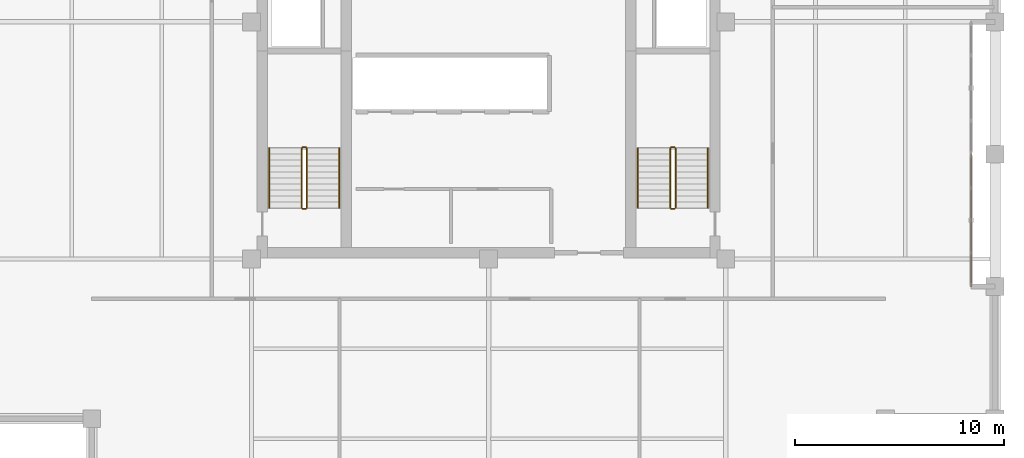
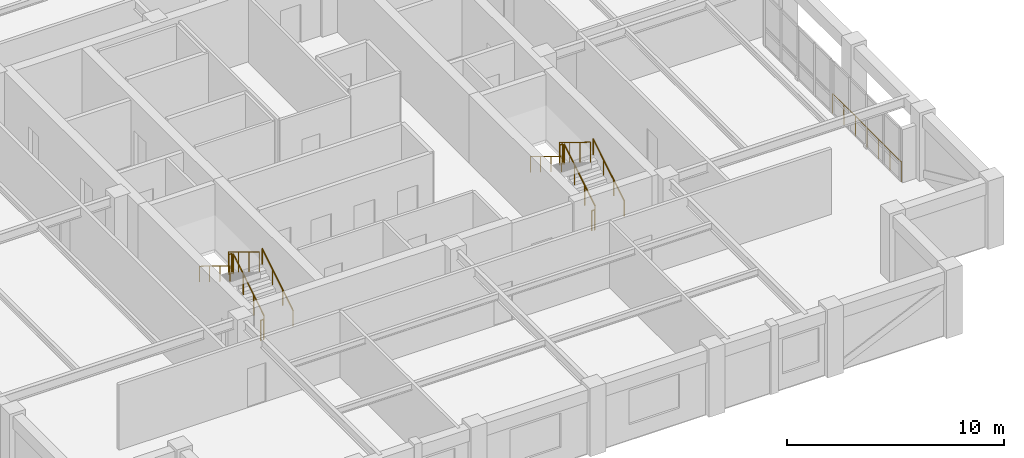
# One storey, part 9 of 10: 13 railings.
"""IFC4 building model written with IfcOpenShell, lengths in metres."""

import ifcopenshell
import ifcopenshell.guid

model = None  # the IFC model being written
_history = None  # IfcOwnerHistory: only IFC2X3 demands one
_inside = {}  # id of a spatial element -> (the spatial element, [elements in it])
_under = {}  # id of a project, library or spatial element -> (it, [spatial elements below it])
_declared = {}  # id of a project -> (the project, [libraries it declares])
_typed = {}  # id of a type object -> (the type object, [elements of that type])
_made_of = {}  # id of a material, layer set ... -> (it, [elements and type objects made of it])


def new_model(schema):
    """Start an empty IFC model of exactly this schema.

    Asked for "IFC4X3", IfcOpenShell would pick the latest addendum, in which some entities
    have other attributes; the version numbers below select the first issue.
    IFC2X3 requires an IfcOwnerHistory on every rooted entity: one is made here for all.
    """
    global model, _history
    if schema == "IFC4X3":
        model = ifcopenshell.file(schema_version=(4, 3, 0, 0))
    else:
        model = ifcopenshell.file(schema=schema)
    _inside.clear()
    _under.clear()
    _declared.clear()
    _typed.clear()
    _made_of.clear()
    _history = None
    if model.schema == "IFC2X3":
        org = make("IfcOrganization", Name="unknown")
        user = make(
            "IfcPersonAndOrganization",
            ThePerson=make("IfcPerson", FamilyName="unknown"),
            TheOrganization=org,
        )
        app = make(
            "IfcApplication",
            ApplicationDeveloper=org,
            Version="unknown",
            ApplicationFullName="unknown",
            ApplicationIdentifier="unknown",
        )
        _history = make(
            "IfcOwnerHistory",
            OwningUser=user,
            OwningApplication=app,
            ChangeAction="ADDED",
            CreationDate=0,
        )
    return model


def make(cls, **values):
    """One entity of the class cls with the attributes given. An attribute that is None is left unset."""
    return model.create_entity(
        cls, **{name: value for name, value in values.items() if value is not None}
    )


def rooted(cls, **values):
    """An entity with a GlobalId (a new one), such as an element, a storey or a relation."""
    return make(cls, GlobalId=ifcopenshell.guid.new(), OwnerHistory=_history, **values)


def si_unit(unit_type, name, prefix=None):
    """IfcSIUnit, for example si_unit("LENGTHUNIT", "METRE", prefix="MILLI")."""
    return make("IfcSIUnit", UnitType=unit_type, Prefix=prefix, Name=name)


def assignment(units):
    """IfcUnitAssignment: the units of a project."""
    return None if units is None else make("IfcUnitAssignment", Units=units)


def point(xyz):
    """IfcCartesianPoint."""
    return None if xyz is None else make("IfcCartesianPoint", Coordinates=xyz)


def direction(xyz):
    """IfcDirection."""
    return None if xyz is None else make("IfcDirection", DirectionRatios=xyz)


def frame(location, z_axis=None, x_axis=None):
    """IfcAxis2Placement3D, a coordinate frame: its origin and axes. An axis left out is left unset."""
    return make(
        "IfcAxis2Placement3D",
        Location=point(location),
        Axis=direction(z_axis),
        RefDirection=direction(x_axis),
    )


def frame_2d(location, x_axis=None):
    """IfcAxis2Placement2D, a coordinate frame in the plane: its origin and x axis."""
    return make(
        "IfcAxis2Placement2D", Location=point(location), RefDirection=direction(x_axis)
    )


def origin():
    """The frame at (0, 0, 0) with its axes left unset."""
    return frame((0.0, 0.0, 0.0))


def origin_2d():
    """The frame at (0, 0) in the plane with its x axis left unset."""
    return frame_2d((0.0, 0.0))


def place(relative_to, where):
    """IfcLocalPlacement: puts the frame where relative to a parent placement (None: the world)."""
    return make(
        "IfcLocalPlacement", PlacementRelTo=relative_to, RelativePlacement=where
    )


def context(
    kind, dimensions, precision=None, world=None, true_north=None, identifier=None
):
    """IfcGeometricRepresentationContext, for example the 3D "Model" context."""
    return make(
        "IfcGeometricRepresentationContext",
        ContextIdentifier=identifier,
        ContextType=kind,
        CoordinateSpaceDimension=dimensions,
        Precision=precision,
        WorldCoordinateSystem=world,
        TrueNorth=true_north,
    )


def subcontext(parent, identifier, kind, view, scale=None):
    """IfcGeometricRepresentationSubContext, for example "Body" below "Model"."""
    return make(
        "IfcGeometricRepresentationSubContext",
        ContextIdentifier=identifier,
        ContextType=kind,
        ParentContext=parent,
        TargetScale=scale,
        TargetView=view,
    )


def project(units=None, contexts=None):
    """IfcProject with its units and contexts."""
    return rooted(
        "IfcProject",
        Name="project",
        RepresentationContexts=contexts,
        UnitsInContext=assignment(units),
    )


def spatial(cls, under=None, at=None, **own):
    """A site, building, storey or space (cls), placed at a placement, below another one or the project."""
    s = rooted(cls, ObjectPlacement=at, **own)
    if under is not None:
        _under.setdefault(under.id(), (under, []))[1].append(s)
    return s


def profile(cls, at=None, kind="AREA", **sizes):
    """A parametric profile (cls). Its sizes go by their IFC names, for example OverallWidth=200.0."""
    return make(cls, ProfileType=kind, Position=at, **sizes)


def circle(**sizes):
    """IfcCircleProfileDef."""
    return profile("IfcCircleProfileDef", **sizes)


def extrude(swept, where, along, depth):
    """IfcExtrudedAreaSolid: the profile swept, set in the frame where, extruded along a direction by depth."""
    return make(
        "IfcExtrudedAreaSolid",
        SweptArea=swept,
        Position=where,
        ExtrudedDirection=direction(along),
        Depth=depth,
    )


def shape(context_of_items, identifier, shape_type, items):
    """IfcShapeRepresentation: the items that make up one representation, for example the "Body"."""
    return make(
        "IfcShapeRepresentation",
        ContextOfItems=context_of_items,
        RepresentationIdentifier=identifier,
        RepresentationType=shape_type,
        Items=items,
    )


def material(Name=None, Category=None):
    """IfcMaterial."""
    return make("IfcMaterial", Name=Name, Category=Category)


def made_of(thing, what):
    """Note that an element or type object is made of a material, layer set ...; save() writes the relation."""
    if what is not None:
        _made_of.setdefault(what.id(), (what, []))[1].append(thing)
    return thing


def type_object(cls, material=None, **own):
    """A type object (cls), such as IfcWallType, which elements share."""
    return made_of(rooted(cls, **own), material)


def element(
    cls,
    number,
    at=None,
    inside=None,
    cuts=None,
    type_object=None,
    material=None,
    context=None,
    identifier="Body",
    shape_type=None,
    held_by="IfcProductDefinitionShape",
    body=None,
    shapes=None,
    **own,
):
    """One element of the class cls, such as IfcWall. Its Tag is "e" and its number.

    at: its placement. inside: the storey or other place that contains it. cuts: it is an
    opening in that element (IfcRelVoidsElement). A single representation is given by context,
    identifier, shape_type and body (its items); several are given by shapes. held_by: the class
    of the entity that holds the representations. save() writes the other relations.
    """
    e = rooted(cls, Tag="e%d" % number, ObjectPlacement=at, **own)
    if body is not None:
        shapes = [shape(context, identifier, shape_type, body)]
    if shapes is not None:
        e.Representation = make(held_by, Representations=shapes)
    if inside is not None:
        _inside.setdefault(inside.id(), (inside, []))[1].append(e)
    if cuts is not None:
        rooted(
            "IfcRelVoidsElement", RelatingBuildingElement=cuts, RelatedOpeningElement=e
        )
    if type_object is not None:
        _typed.setdefault(type_object.id(), (type_object, []))[1].append(e)
    return made_of(e, material)


def aggregate(whole, parts):
    """IfcRelAggregates: a whole, such as a stair, and the parts it consists of."""
    return rooted("IfcRelAggregates", RelatingObject=whole, RelatedObjects=parts)


def save(model, path):
    """Write the relations noted so far, then the file.

    IfcRelAggregates (storeys below a building ...), IfcRelContainedInSpatialStructure (elements
    in a storey), IfcRelDefinesByType, IfcRelAssociatesMaterial and IfcRelDeclares: one each for
    every whole, place, type object, material and project.
    """
    for whole, parts in _under.values():
        aggregate(whole, parts)
    for where, things in _inside.values():
        rooted(
            "IfcRelContainedInSpatialStructure",
            RelatedElements=things,
            RelatingStructure=where,
        )
    for kind, things in _typed.values():
        rooted("IfcRelDefinesByType", RelatedObjects=things, RelatingType=kind)
    for what, things in _made_of.values():
        rooted("IfcRelAssociatesMaterial", RelatedObjects=things, RelatingMaterial=what)
    for by, libraries in _declared.values():
        rooted("IfcRelDeclares", RelatingContext=by, RelatedDefinitions=libraries)
    model.write(path)


model = new_model("IFC4")

# Units and contexts
model_context = context("Model", 3, precision=1e-05, world=origin(), true_north=direction((0.0, 1.0)))
body_context = subcontext(model_context, "Body", "Model", "MODEL_VIEW")
ifc_project = project(units=[si_unit("LENGTHUNIT", "METRE"), si_unit("AREAUNIT", "SQUARE_METRE"), si_unit("VOLUMEUNIT", "CUBIC_METRE"), si_unit("PLANEANGLEUNIT", "RADIAN"), si_unit("MASSUNIT", "GRAM", prefix="KILO")], contexts=[model_context])

# Site, building, storey
site_placement = place(None, origin())
site = spatial("IfcSite", under=ifc_project, at=site_placement, CompositionType="ELEMENT")
building_placement = place(site_placement, origin())
building = spatial("IfcBuilding", under=site, at=building_placement, Name="Nhamokura Convention Tower", CompositionType="ELEMENT")
storey_placement = place(building_placement, frame((0.0, 0.0, 236.949951171875)))
storey = spatial("IfcBuildingStorey", under=building, at=storey_placement, Name="L58", CompositionType="ELEMENT", Elevation=236.949951171875)

# Railings
ifc_material_1 = material(Name="Anodised bronze stainless steel", Category="steel")
railing_type_1 = type_object("IfcRailingType", Name="StairWallHandrail_900", PredefinedType="HANDRAIL", material=ifc_material_1)
railing_1_placement = place(storey_placement, frame((24.85009765625, 23.10009765625, 0.175048828125)))
element("IfcRailing", 1, at=railing_1_placement, inside=storey, type_object=railing_type_1, Name="L58 ST-01 stair handrail 1", PredefinedType="HANDRAIL", context=body_context, shape_type="SweptSolid", body=[
    extrude(circle(Radius=0.02392578125, at=origin_2d()), frame((0.0, 0.0, 0.8759765625), z_axis=(0.0, 0.852159232446, 0.523282564737), x_axis=(-1.0, 0.0, 0.0)), (0.0, 0.0, 1.0), 3.34423828125),
    extrude(circle(Radius=0.02099609375, at=origin_2d()), origin(), (0.0, 0.0, 1.0), 0.851806640625),
    extrude(circle(Radius=0.02099609375, at=origin_2d()), frame((0.0, 0.949951171875, 0.583251953125)), (0.0, 0.0, 1.0), 0.851806640625),
    extrude(circle(Radius=0.02099609375, at=origin_2d()), frame((0.0, 1.89990234375, 1.166748046875)), (0.0, 0.0, 1.0), 0.851806640625),
    extrude(circle(Radius=0.02099609375, at=origin_2d()), frame((0.0, 2.849853515625, 1.75)), (0.0, 0.0, 1.0), 0.851806640625),
])
railing_2_placement = place(storey_placement, frame((21.5, 25.949951171875, 2.10009765625)))
element("IfcRailing", 2, at=railing_2_placement, inside=storey, type_object=railing_type_1, Name="L58 ST-01 stair handrail 2", PredefinedType="HANDRAIL", context=body_context, shape_type="SweptSolid", body=[
    extrude(circle(Radius=0.02392578125, at=origin_2d()), frame((0.0, 0.0, 0.8759765625), z_axis=(0.0, -0.852159232446, 0.523282564737), x_axis=(1.0, 0.0, 0.0)), (0.0, 0.0, 1.0), 3.34423828125),
    extrude(circle(Radius=0.02099609375, at=origin_2d()), origin(), (0.0, 0.0, 1.0), 0.851806640625),
    extrude(circle(Radius=0.02099609375, at=origin_2d()), frame((0.0, -0.949951171875, 0.583251953125)), (0.0, 0.0, 1.0), 0.851806640625),
    extrude(circle(Radius=0.02099609375, at=origin_2d()), frame((0.0, -1.89990234375, 1.166748046875)), (0.0, 0.0, 1.0), 0.851806640625),
    extrude(circle(Radius=0.02099609375, at=origin_2d()), frame((0.0, -2.849853515625, 1.75)), (0.0, 0.0, 1.0), 0.851806640625),
])
railing_3_placement = place(storey_placement, frame((42.5, 23.10009765625, 0.175048828125)))
element("IfcRailing", 3, at=railing_3_placement, inside=storey, type_object=railing_type_1, Name="L58 ST-02 stair handrail 1", PredefinedType="HANDRAIL", context=body_context, shape_type="SweptSolid", body=[
    extrude(circle(Radius=0.02392578125, at=origin_2d()), frame((0.0, 0.0, 0.8759765625), z_axis=(0.0, 0.852159232446, 0.523282564737), x_axis=(-1.0, 0.0, 0.0)), (0.0, 0.0, 1.0), 3.34423828125),
    extrude(circle(Radius=0.02099609375, at=origin_2d()), origin(), (0.0, 0.0, 1.0), 0.851806640625),
    extrude(circle(Radius=0.02099609375, at=origin_2d()), frame((0.0, 0.949951171875, 0.583251953125)), (0.0, 0.0, 1.0), 0.851806640625),
    extrude(circle(Radius=0.02099609375, at=origin_2d()), frame((0.0, 1.89990234375, 1.166748046875)), (0.0, 0.0, 1.0), 0.851806640625),
    extrude(circle(Radius=0.02099609375, at=origin_2d()), frame((0.0, 2.849853515625, 1.75)), (0.0, 0.0, 1.0), 0.851806640625),
])
railing_4_placement = place(storey_placement, frame((39.14990234375, 25.949951171875, 2.10009765625)))
element("IfcRailing", 4, at=railing_4_placement, inside=storey, type_object=railing_type_1, Name="L58 ST-02 stair handrail 2", PredefinedType="HANDRAIL", context=body_context, shape_type="SweptSolid", body=[
    extrude(circle(Radius=0.02392578125, at=origin_2d()), frame((0.0, 0.0, 0.8759765625), z_axis=(0.0, -0.852159232446, 0.523282564737), x_axis=(1.0, 0.0, 0.0)), (0.0, 0.0, 1.0), 3.34423828125),
    extrude(circle(Radius=0.02099609375, at=origin_2d()), origin(), (0.0, 0.0, 1.0), 0.851806640625),
    extrude(circle(Radius=0.02099609375, at=origin_2d()), frame((0.0, -0.949951171875, 0.583251953125)), (0.0, 0.0, 1.0), 0.851806640625),
    extrude(circle(Radius=0.02099609375, at=origin_2d()), frame((0.0, -1.89990234375, 1.166748046875)), (0.0, 0.0, 1.0), 0.851806640625),
    extrude(circle(Radius=0.02099609375, at=origin_2d()), frame((0.0, -2.849853515625, 1.75)), (0.0, 0.0, 1.0), 0.851806640625),
])
ifc_material_2 = material(Name="Painted tubular steel", Category="steel")
railing_type_2 = type_object("IfcRailingType", Name="StairWellGuardrail_1150", PredefinedType="GUARDRAIL", material=ifc_material_2)
railing_5_placement = place(storey_placement, frame((23.300048828125, 23.10009765625, 0.175048828125)))
element("IfcRailing", 5, at=railing_5_placement, inside=storey, type_object=railing_type_2, Name="L58 ST-01 stair guard 1", PredefinedType="GUARDRAIL", context=body_context, shape_type="SweptSolid", body=[
    extrude(circle(Radius=0.02392578125, at=origin_2d()), frame((0.0, 0.0, 1.1259765625), z_axis=(0.0, 0.852159232446, 0.523282564737), x_axis=(-1.0, 0.0, 0.0)), (0.0, 0.0, 1.0), 3.34423828125),
    extrude(circle(Radius=0.02099609375, at=origin_2d()), origin(), (0.0, 0.0, 1.0), 1.101806640625),
    extrude(circle(Radius=0.02099609375, at=origin_2d()), frame((0.0, 0.949951171875, 0.583251953125)), (0.0, 0.0, 1.0), 1.101806640625),
    extrude(circle(Radius=0.02099609375, at=origin_2d()), frame((0.0, 1.89990234375, 1.166748046875)), (0.0, 0.0, 1.0), 1.101806640625),
    extrude(circle(Radius=0.02099609375, at=origin_2d()), frame((0.0, 2.849853515625, 1.75)), (0.0, 0.0, 1.0), 1.101806640625),
])
railing_6_placement = place(storey_placement, frame((23.25, 26.0, 1.925048828125)))
element("IfcRailing", 6, at=railing_6_placement, inside=storey, type_object=railing_type_2, Name="L58 ST-01 stair guard 2", PredefinedType="GUARDRAIL", context=body_context, shape_type="SweptSolid", body=[
    extrude(circle(Radius=0.02392578125, at=origin_2d()), frame((0.0, 0.0, 1.1259765625), z_axis=(-1.0, 0.0, 0.0), x_axis=(0.0, -1.0, 0.0)), (0.0, 0.0, 1.0), 0.14990234375),
    extrude(circle(Radius=0.02099609375, at=origin_2d()), origin(), (0.0, 0.0, 1.0), 1.101806640625),
    extrude(circle(Radius=0.02099609375, at=origin_2d()), frame((-0.14990234375, 0.0, 0.0)), (0.0, 0.0, 1.0), 1.101806640625),
])
railing_7_placement = place(storey_placement, frame((23.050048828125, 25.949951171875, 2.10009765625)))
element("IfcRailing", 7, at=railing_7_placement, inside=storey, type_object=railing_type_2, Name="L58 ST-01 stair guard 3", PredefinedType="GUARDRAIL", context=body_context, shape_type="SweptSolid", body=[
    extrude(circle(Radius=0.02392578125, at=origin_2d()), frame((0.0, 0.0, 1.1259765625), z_axis=(0.0, -0.852159232446, 0.523282564737), x_axis=(1.0, 0.0, 0.0)), (0.0, 0.0, 1.0), 3.34423828125),
    extrude(circle(Radius=0.02099609375, at=origin_2d()), origin(), (0.0, 0.0, 1.0), 1.101806640625),
    extrude(circle(Radius=0.02099609375, at=origin_2d()), frame((0.0, -0.949951171875, 0.583251953125)), (0.0, 0.0, 1.0), 1.101806640625),
    extrude(circle(Radius=0.02099609375, at=origin_2d()), frame((0.0, -1.89990234375, 1.166748046875)), (0.0, 0.0, 1.0), 1.101806640625),
    extrude(circle(Radius=0.02099609375, at=origin_2d()), frame((0.0, -2.849853515625, 1.75)), (0.0, 0.0, 1.0), 1.101806640625),
])
railing_8_placement = place(storey_placement, frame((23.25, 23.050048828125, 0.0)))
element("IfcRailing", 8, at=railing_8_placement, inside=storey, type_object=railing_type_2, Name="L58 ST-01 stair guard 4", PredefinedType="GUARDRAIL", context=body_context, shape_type="SweptSolid", body=[
    extrude(circle(Radius=0.02392578125, at=origin_2d()), frame((0.0, 0.0, 1.1259765625), z_axis=(-1.0, 0.0, 0.0), x_axis=(0.0, -1.0, 0.0)), (0.0, 0.0, 1.0), 0.14990234375),
    extrude(circle(Radius=0.02099609375, at=origin_2d()), origin(), (0.0, 0.0, 1.0), 1.101806640625),
    extrude(circle(Radius=0.02099609375, at=origin_2d()), frame((-0.14990234375, 0.0, 0.0)), (0.0, 0.0, 1.0), 1.101806640625),
])
railing_9_placement = place(storey_placement, frame((40.949951171875, 23.10009765625, 0.175048828125)))
element("IfcRailing", 9, at=railing_9_placement, inside=storey, type_object=railing_type_2, Name="L58 ST-02 stair guard 1", PredefinedType="GUARDRAIL", context=body_context, shape_type="SweptSolid", body=[
    extrude(circle(Radius=0.02392578125, at=origin_2d()), frame((0.0, 0.0, 1.1259765625), z_axis=(0.0, 0.852159232446, 0.523282564737), x_axis=(-1.0, 0.0, 0.0)), (0.0, 0.0, 1.0), 3.34423828125),
    extrude(circle(Radius=0.02099609375, at=origin_2d()), origin(), (0.0, 0.0, 1.0), 1.101806640625),
    extrude(circle(Radius=0.02099609375, at=origin_2d()), frame((0.0, 0.949951171875, 0.583251953125)), (0.0, 0.0, 1.0), 1.101806640625),
    extrude(circle(Radius=0.02099609375, at=origin_2d()), frame((0.0, 1.89990234375, 1.166748046875)), (0.0, 0.0, 1.0), 1.101806640625),
    extrude(circle(Radius=0.02099609375, at=origin_2d()), frame((0.0, 2.849853515625, 1.75)), (0.0, 0.0, 1.0), 1.101806640625),
])
railing_10_placement = place(storey_placement, frame((40.89990234375, 26.0, 1.925048828125)))
element("IfcRailing", 10, at=railing_10_placement, inside=storey, type_object=railing_type_2, Name="L58 ST-02 stair guard 2", PredefinedType="GUARDRAIL", context=body_context, shape_type="SweptSolid", body=[
    extrude(circle(Radius=0.02392578125, at=origin_2d()), frame((0.0, 0.0, 1.1259765625), z_axis=(-1.0, 0.0, 0.0), x_axis=(0.0, -1.0, 0.0)), (0.0, 0.0, 1.0), 0.14990234375),
    extrude(circle(Radius=0.02099609375, at=origin_2d()), origin(), (0.0, 0.0, 1.0), 1.101806640625),
    extrude(circle(Radius=0.02099609375, at=origin_2d()), frame((-0.14990234375, 0.0, 0.0)), (0.0, 0.0, 1.0), 1.101806640625),
])
railing_11_placement = place(storey_placement, frame((40.699951171875, 25.949951171875, 2.10009765625)))
element("IfcRailing", 11, at=railing_11_placement, inside=storey, type_object=railing_type_2, Name="L58 ST-02 stair guard 3", PredefinedType="GUARDRAIL", context=body_context, shape_type="SweptSolid", body=[
    extrude(circle(Radius=0.02392578125, at=origin_2d()), frame((0.0, 0.0, 1.1259765625), z_axis=(0.0, -0.852159232446, 0.523282564737), x_axis=(1.0, 0.0, 0.0)), (0.0, 0.0, 1.0), 3.34423828125),
    extrude(circle(Radius=0.02099609375, at=origin_2d()), origin(), (0.0, 0.0, 1.0), 1.101806640625),
    extrude(circle(Radius=0.02099609375, at=origin_2d()), frame((0.0, -0.949951171875, 0.583251953125)), (0.0, 0.0, 1.0), 1.101806640625),
    extrude(circle(Radius=0.02099609375, at=origin_2d()), frame((0.0, -1.89990234375, 1.166748046875)), (0.0, 0.0, 1.0), 1.101806640625),
    extrude(circle(Radius=0.02099609375, at=origin_2d()), frame((0.0, -2.849853515625, 1.75)), (0.0, 0.0, 1.0), 1.101806640625),
])
railing_12_placement = place(storey_placement, frame((40.89990234375, 23.050048828125, 0.0)))
element("IfcRailing", 12, at=railing_12_placement, inside=storey, type_object=railing_type_2, Name="L58 ST-02 stair guard 4", PredefinedType="GUARDRAIL", context=body_context, shape_type="SweptSolid", body=[
    extrude(circle(Radius=0.02392578125, at=origin_2d()), frame((0.0, 0.0, 1.1259765625), z_axis=(-1.0, 0.0, 0.0), x_axis=(0.0, -1.0, 0.0)), (0.0, 0.0, 1.0), 0.14990234375),
    extrude(circle(Radius=0.02099609375, at=origin_2d()), origin(), (0.0, 0.0, 1.0), 1.101806640625),
    extrude(circle(Radius=0.02099609375, at=origin_2d()), frame((-0.14990234375, 0.0, 0.0)), (0.0, 0.0, 1.0), 1.101806640625),
])
ifc_material_3 = material(Name="Anodised bronze stainless steel", Category="steel")
railing_type_3 = type_object("IfcRailingType", Name="TerraceGuardrail_1150", PredefinedType="GUARDRAIL", material=ifc_material_3)
railing_13_placement = place(storey_placement, frame((55.10009765625, 25.666748046875, 0.0)))
element("IfcRailing", 13, at=railing_13_placement, inside=storey, type_object=railing_type_3, Name="L58 Scale-Slot Edge Guardrail EAST 1", PredefinedType="GUARDRAIL", context=body_context, shape_type="SweptSolid", body=[
    extrude(circle(Radius=0.02392578125, at=origin_2d()), frame((0.0, 0.0, 1.1259765625), z_axis=(0.0, -1.0, 0.0), x_axis=(1.0, 0.0, 0.0)), (0.0, 0.0, 1.0), 6.33349609375),
    extrude(circle(Radius=0.02099609375, at=origin_2d()), origin(), (0.0, 0.0, 1.0), 1.101806640625),
    extrude(circle(Radius=0.02099609375, at=origin_2d()), frame((0.0, -1.0556640625, 0.0)), (0.0, 0.0, 1.0), 1.101806640625),
    extrude(circle(Radius=0.02099609375, at=origin_2d()), frame((0.0, -2.111083984375, 0.0)), (0.0, 0.0, 1.0), 1.101806640625),
    extrude(circle(Radius=0.02099609375, at=origin_2d()), frame((0.0, -3.166748046875, 0.0)), (0.0, 0.0, 1.0), 1.101806640625),
    extrude(circle(Radius=0.02099609375, at=origin_2d()), frame((0.0, -4.222412109375, 0.0)), (0.0, 0.0, 1.0), 1.101806640625),
    extrude(circle(Radius=0.02099609375, at=origin_2d()), frame((0.0, -5.27783203125, 0.0)), (0.0, 0.0, 1.0), 1.101806640625),
    extrude(circle(Radius=0.02099609375, at=origin_2d()), frame((0.0, -6.33349609375, 0.0)), (0.0, 0.0, 1.0), 1.101806640625),
])

save(model, "model.ifc")
